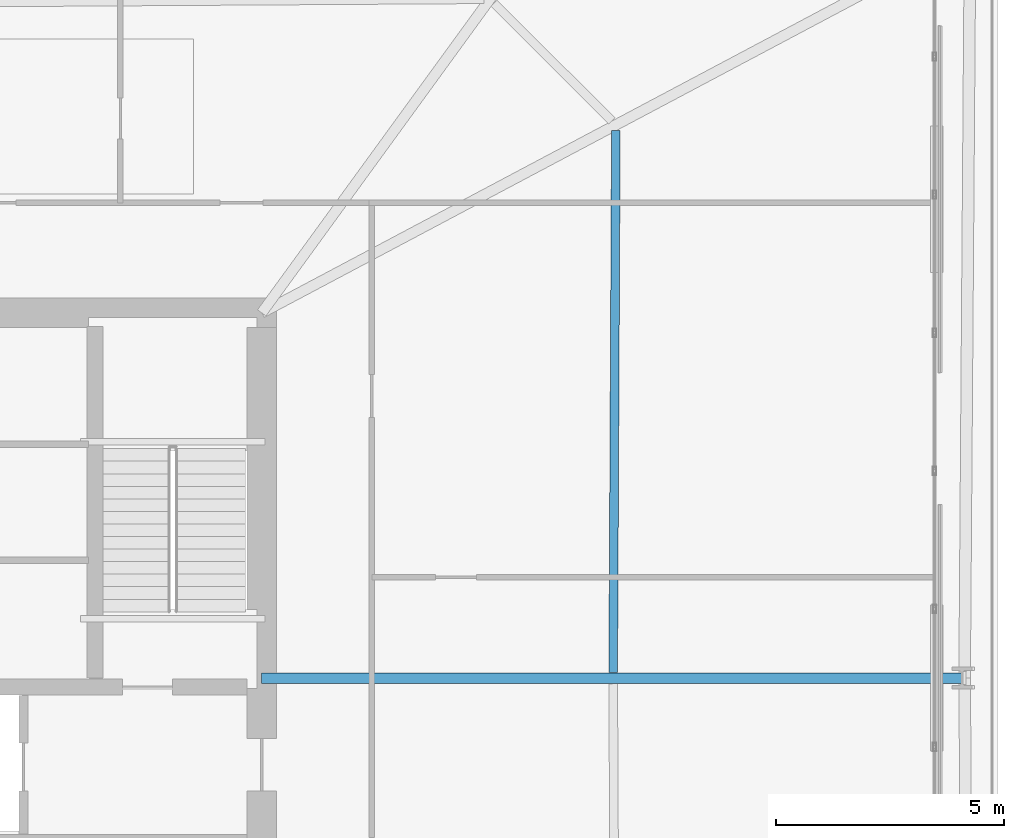
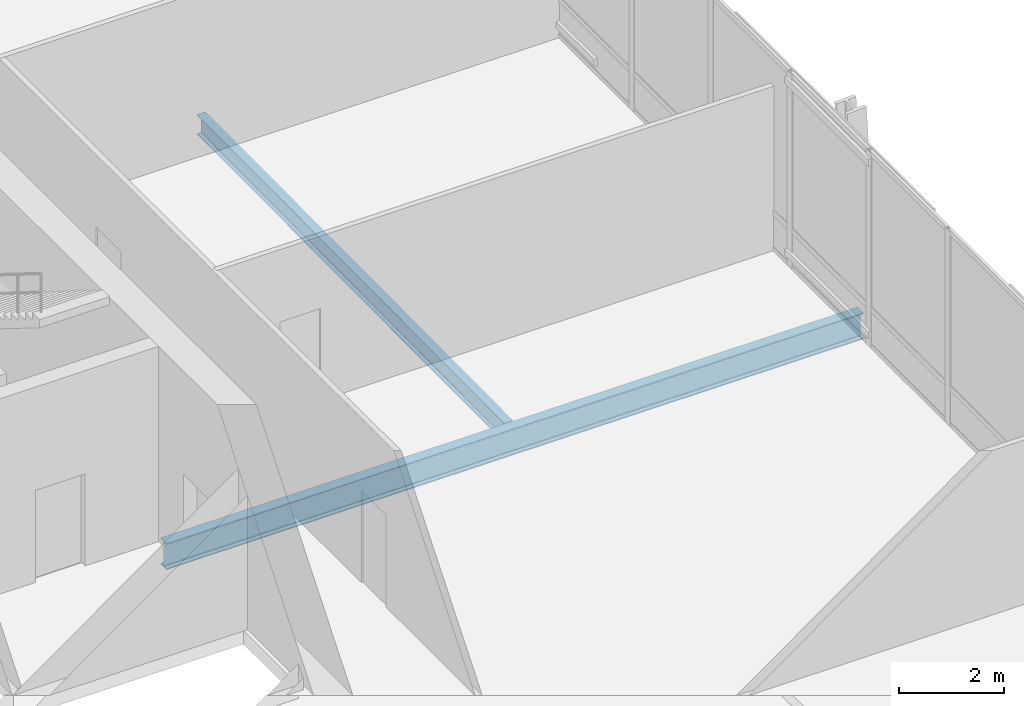
# One storey, part 25 of 48: 2 beams.
"""IFC4 building model written with IfcOpenShell, lengths in metres."""

from ifc_helpers import new_model, si_unit, direction, frame, origin, origin_2d, place, context, subcontext, project, spatial, i_section, extrude, material, material_profile, profile_set, type_object, element, save


model = new_model("IFC4")

# Units and contexts
model_context = context("Model", 3, precision=1e-05, world=origin(), true_north=direction((0.0, 1.0)))
body_context = subcontext(model_context, "Body", "Model", "MODEL_VIEW")
ifc_project = project(units=[si_unit("LENGTHUNIT", "METRE"), si_unit("AREAUNIT", "SQUARE_METRE"), si_unit("VOLUMEUNIT", "CUBIC_METRE"), si_unit("PLANEANGLEUNIT", "RADIAN"), si_unit("MASSUNIT", "GRAM", prefix="KILO")], contexts=[model_context])

# Site, building, storey
site_placement = place(None, origin())
site = spatial("IfcSite", under=ifc_project, at=site_placement, CompositionType="ELEMENT")
building_placement = place(site_placement, origin())
building = spatial("IfcBuilding", under=site, at=building_placement, Name="Caelvoria Tower", CompositionType="ELEMENT")
storey_placement = place(building_placement, frame((0.0, 0.0, 90.39990234375)))
storey = spatial("IfcBuildingStorey", under=building, at=storey_placement, Name="L23", CompositionType="ELEMENT", Elevation=90.39990234375)

# Beams
ifc_material = material(Name="Structural Steel ASTM A992 Gr.50", Category="steel")
ifc_material_profile_1 = material_profile(ifc_material, i_section(OverallWidth=0.22900390625, OverallDepth=0.612060546875, WebThickness=0.011962890625, FlangeThickness=0.01953125, FilletRadius=0.01806640625, at=origin_2d()), Name="Structural Steel ASTM A992 Gr.50")
ifc_profile_set_1 = profile_set([ifc_material_profile_1], Name="W610X125 - Structural Steel ASTM A992 Gr.50")
beam_type_1 = type_object("IfcBeamType", Name="Primary Radial Floor Girder W610X125", PredefinedType="BEAM", material=ifc_profile_set_1)
beam_1_placement = place(storey_placement, frame((55.0, 32.0, -0.6259765625), z_axis=(1.0, 0.0, 0.0), x_axis=(0.0, 1.0, 0.0)))
element("IfcBeam", 1, at=beam_1_placement, inside=storey, type_object=beam_type_1, Name="Primary Floor Girder L23-04", PredefinedType="BEAM", context=body_context, shape_type="SweptSolid", body=[
    extrude(i_section(OverallWidth=0.22900390625, OverallDepth=0.612060546875, WebThickness=0.011962890625, FlangeThickness=0.01953125, FilletRadius=0.01806640625, at=origin_2d()), origin(), (0.0, 0.0, 1.0), 15.396728515625),
])
ifc_material_profile_2 = material_profile(ifc_material, i_section(OverallWidth=0.18994140625, OverallDepth=0.45703125, WebThickness=0.009033203125, FlangeThickness=0.014404296875, FilletRadius=0.014892578125, at=origin_2d()), Name="Structural Steel ASTM A992 Gr.50")
ifc_profile_set_2 = profile_set([ifc_material_profile_2], Name="W460X74 - Structural Steel ASTM A992 Gr.50")
beam_type_2 = type_object("IfcBeamType", Name="Secondary Floor Beam W460X74", PredefinedType="BEAM", material=ifc_profile_set_2)
beam_2_placement = place(storey_placement, frame((62.698974609375, 32.125, -0.54833984375), z_axis=(0.00493709397, 0.999987812477, 0.0), x_axis=(-0.999987812477, 0.00493709397, 0.0)))
element("IfcBeam", 2, at=beam_2_placement, inside=storey, type_object=beam_type_2, Name="Secondary Floor Beam L23-04", PredefinedType="BEAM", context=body_context, shape_type="SweptSolid", body=[
    extrude(i_section(OverallWidth=0.18994140625, OverallDepth=0.45703125, WebThickness=0.009033203125, FlangeThickness=0.014404296875, FilletRadius=0.014892578125, at=origin_2d()), origin(), (0.0, 0.0, 1.0), 11.8681640625),
])

save(model, "model.ifc")
